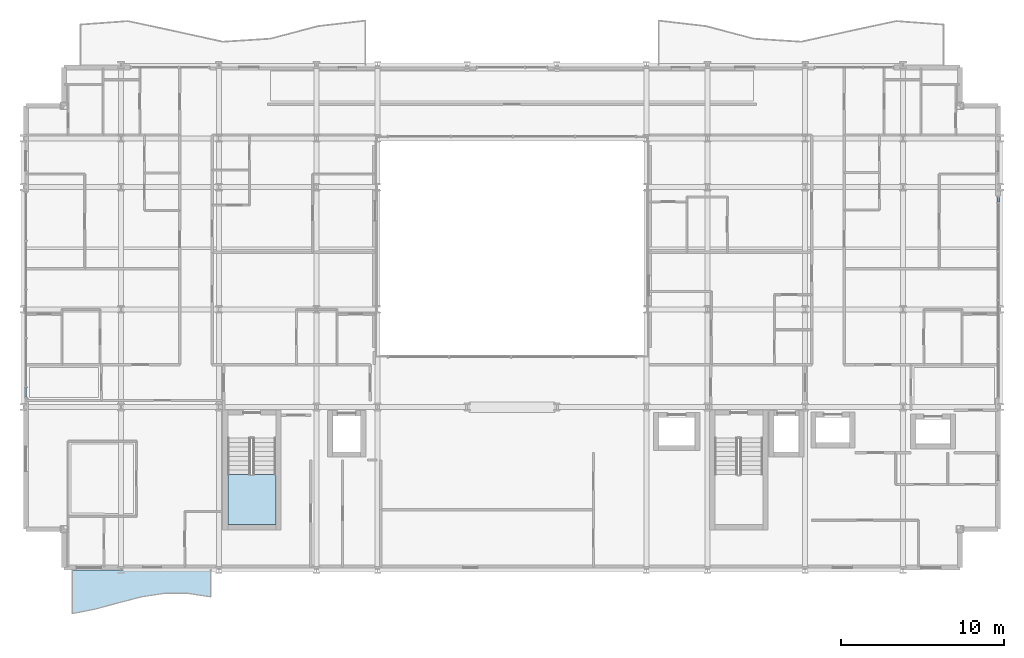
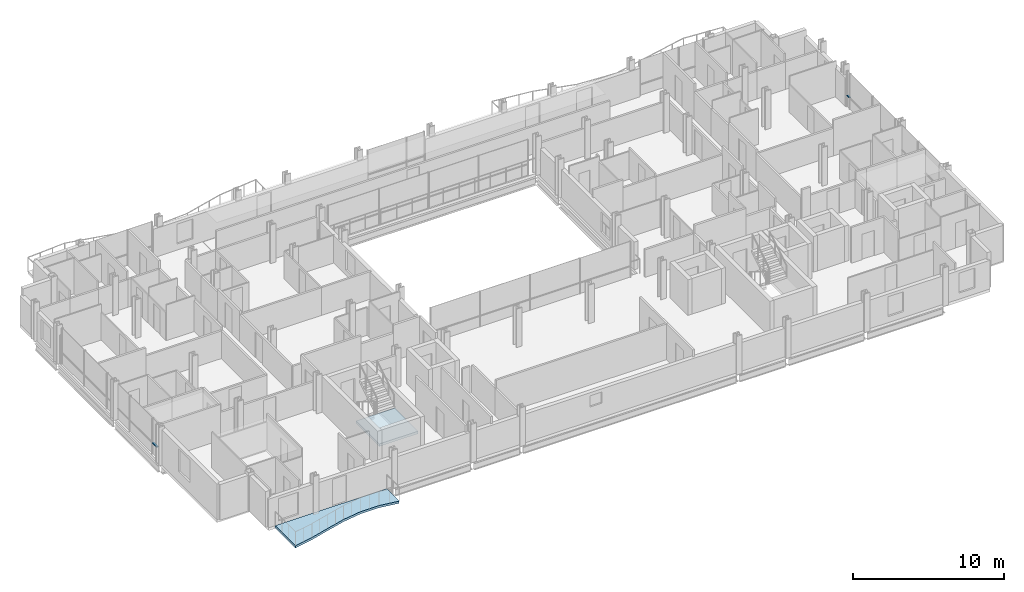
# One storey, part 25 of 41: 2 members, 2 slabs, 3 elements without a shape of their own.
"""IFC4 building model written with IfcOpenShell, lengths in metres."""

from ifc_helpers import new_model, si_unit, direction, frame, origin, origin_2d, place, context, subcontext, project, spatial, polyline, hollow_rectangle, outline, extrude, material, layer, layer_set, material_profile, profile_set, type_object, element, aggregate, save


model = new_model("IFC4")

# Units and contexts
model_context = context("Model", 3, precision=1e-05, world=origin(), true_north=direction((0.0, 1.0)))
body_context = subcontext(model_context, "Body", "Model", "MODEL_VIEW")
ifc_project = project(units=[si_unit("LENGTHUNIT", "METRE"), si_unit("AREAUNIT", "SQUARE_METRE"), si_unit("VOLUMEUNIT", "CUBIC_METRE"), si_unit("PLANEANGLEUNIT", "RADIAN"), si_unit("MASSUNIT", "GRAM", prefix="KILO")], contexts=[model_context])

# Site, building, storey
site_placement = place(None, origin())
site = spatial("IfcSite", under=ifc_project, at=site_placement, CompositionType="ELEMENT")
building_placement = place(site_placement, origin())
building = spatial("IfcBuilding", under=site, at=building_placement, Name="Brevholm Reach", CompositionType="ELEMENT")
storey_placement = place(building_placement, frame((0.0, 0.0, 49.699951171875)))
storey = spatial("IfcBuildingStorey", under=building, at=storey_placement, Name="L13", CompositionType="ELEMENT", Elevation=49.699951171875)

# Curtain wall, member
ifc_material_1 = material(Name="Dark Anodised Aluminium 6063-T6 and Solar-Control Glass", Category="aluminium")
ifc_layer_1 = layer(ifc_material_1, 0.14990234375)
ifc_layer_set_1 = layer_set([ifc_layer_1], Name="Dark Anodised Aluminium 6063-T6 and Solar-Control Glass")
curtain_wall_type = type_object("IfcCurtainWallType", Name="CW-01", PredefinedType="NOTDEFINED", material=ifc_layer_set_1)
curtain_wall_1_placement = place(storey_placement, origin())
curtain_wall_1 = element("IfcCurtainWall", 1, at=curtain_wall_1_placement, inside=storey, type_object=curtain_wall_type, Name="L13 Curtain Wall CW-01", PredefinedType="NOTDEFINED")
ifc_material_2 = material(Name="Dark Anodised Aluminium 6063-T6", Category="aluminium")
ifc_material_profile = material_profile(ifc_material_2, hollow_rectangle(XDim=0.06494140625, YDim=0.14990234375, WallThickness=0.0048828125, InnerFilletRadius=0.0048828125, OuterFilletRadius=0.010009765625, at=origin_2d()), Name="RHS 150x65x5")
ifc_profile_set = profile_set([ifc_material_profile], Name="Dark Anodised Aluminium 6063-T6")
member_type = type_object("IfcMemberType", Name="CWT-150", PredefinedType="NOTDEFINED", material=ifc_profile_set)
member_1_placement = place(storey_placement, frame((0.14990234375, 11.1875, 0.900146484375), z_axis=(0.0, -1.0, 0.0), x_axis=(0.0, 0.0, 1.0)))
member_1 = element("IfcMember", 2, at=member_1_placement, type_object=member_type, Name="CT-150 Transom 5.1", ObjectType="TRANSOM", PredefinedType="USERDEFINED", context=body_context, shape_type="SweptSolid", body=[
    extrude(hollow_rectangle(XDim=0.06494140625, YDim=0.14990234375, WallThickness=0.0048828125, InnerFilletRadius=0.0048828125, OuterFilletRadius=0.010009765625, at=origin_2d()), origin(), (0.0, 0.0, 1.0), 0.572509765625),
])
aggregate(curtain_wall_1, [member_1])

curtain_wall_2_placement = place(storey_placement, origin())
curtain_wall_2 = element("IfcCurtainWall", 3, at=curtain_wall_2_placement, inside=storey, type_object=curtain_wall_type, Name="L13 Curtain Wall CW-01", PredefinedType="NOTDEFINED")
member_2_placement = place(storey_placement, frame((59.85009765625, 22.58251953125, 0.900146484375), z_axis=(0.0, 1.0, 0.0), x_axis=(0.0, 0.0, 1.0)))
member_2 = element("IfcMember", 4, at=member_2_placement, type_object=member_type, Name="CT-150 Transom 5.1", ObjectType="TRANSOM", PredefinedType="USERDEFINED", context=body_context, shape_type="SweptSolid", body=[
    extrude(hollow_rectangle(XDim=0.06494140625, YDim=0.14990234375, WallThickness=0.0048828125, InnerFilletRadius=0.0048828125, OuterFilletRadius=0.010009765625, at=origin_2d()), origin(), (0.0, 0.0, 1.0), 0.302490234375),
])
aggregate(curtain_wall_2, [member_2])

# Slab
ifc_material_3 = material(Name="Precast Concrete C40/50", Category="concrete")
ifc_layer_2 = layer(ifc_material_3, 0.179931640625)
ifc_layer_set_2 = layer_set([ifc_layer_2], Name="Precast Concrete C40/50")
slab_type_1 = type_object("IfcSlabType", Name="SLB-BAL-180", PredefinedType="FLOOR", material=ifc_layer_set_2)
slab_1_placement = place(storey_placement, frame((0.0, 0.0, -0.179931640625)))
element("IfcSlab", 5, at=slab_1_placement, inside=storey, type_object=slab_type_1, Name="L13 Rippling External Balcony SW", PredefinedType="FLOOR", context=body_context, shape_type="SweptSolid", body=[
    extrude(outline(polyline([(3.0, -2.676513671875), (4.416748046875, -2.402099609375), (5.833251953125, -2.01611328125), (7.25, -1.650146484375), (8.666748046875, -1.429443359375), (10.083251953125, -1.429443359375), (11.5, -1.650146484375), (11.5, 0.0), (3.0, 0.0), (3.0, -2.676513671875)])), origin(), (0.0, 0.0, 1.0), 0.179931640625),
])

# Stair, slab
ifc_material_4 = material(Name="Precast Concrete C40/50", Category="concrete")
stair_type = type_object("IfcStairType", Name="STR-ESC-1400", PredefinedType="DOUBLE_RETURN_STAIR", material=ifc_material_4)
stair_placement = place(storey_placement, origin())
stair = element("IfcStair", 6, at=stair_placement, inside=storey, type_object=stair_type, Name="L13 ST-1", PredefinedType="DOUBLE_RETURN_STAIR")
ifc_material_5 = material(Name="Concrete C40/50", Category="concrete")
ifc_layer_3 = layer(ifc_material_5, 0.199951171875)
ifc_layer_set_3 = layer_set([ifc_layer_3], Name="Concrete C40/50")
slab_type_2 = type_object("IfcSlabType", Name="SLB-LND-200", PredefinedType="LANDING", material=ifc_layer_set_3)
slab_2_placement = place(storey_placement, frame((0.0, 0.0, 1.35009765625)))
slab_2 = element("IfcSlab", 7, at=slab_2_placement, type_object=slab_type_2, Name="ST-1 landing 1", PredefinedType="LANDING", context=body_context, shape_type="SweptSolid", body=[
    extrude(outline(polyline([(12.550048828125, 5.860107421875), (12.550048828125, 2.780029296875), (15.5, 2.780029296875), (15.5, 5.860107421875), (12.550048828125, 5.860107421875)])), origin(), (0.0, 0.0, 1.0), 0.199951171875),
])
aggregate(stair, [slab_2])

save(model, "model.ifc")
